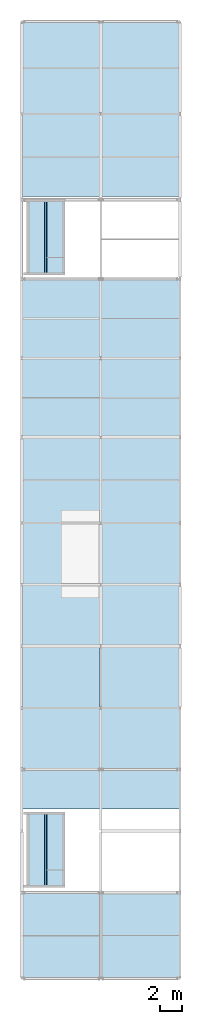
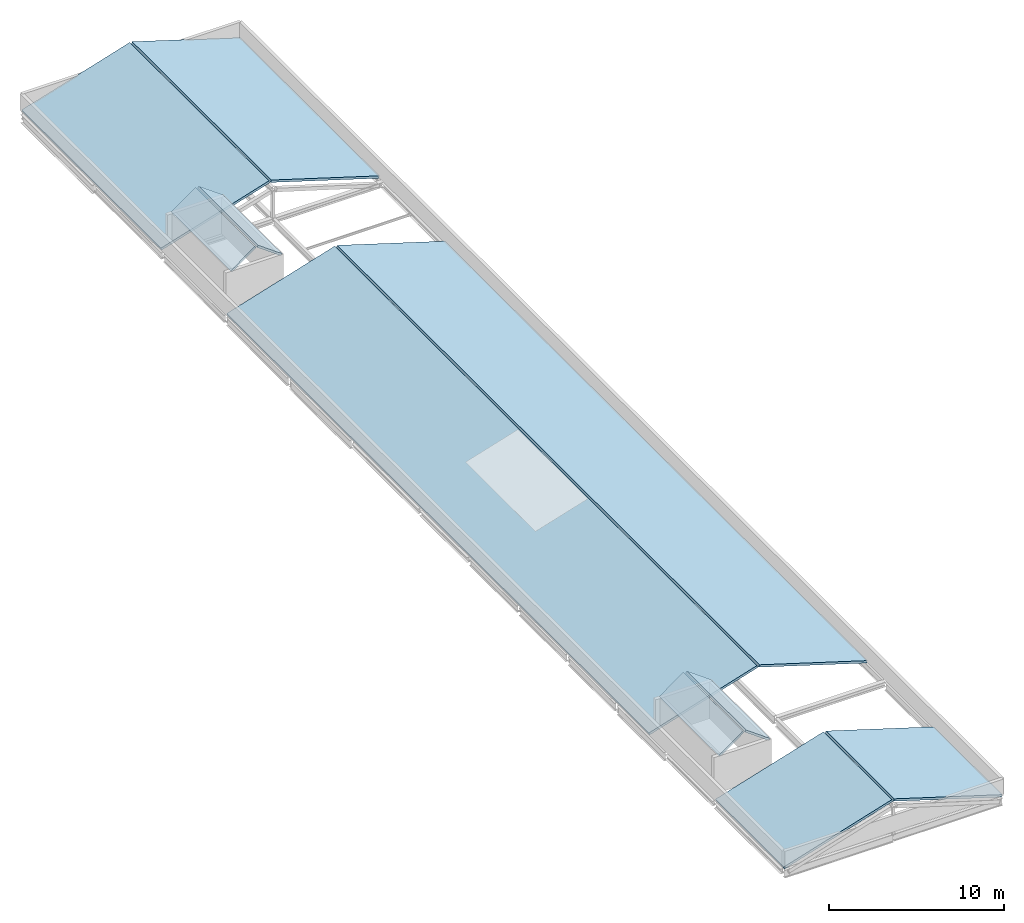
# One storey, part 5 of 9: 10 slabs.
"""IFC4 building model written with IfcOpenShell, lengths in metres."""

from ifc_helpers import new_model, si_unit, direction, frame, origin, place, context, subcontext, project, spatial, polyline, outline, extrude, material, layer, layer_set, type_object, element, save


model = new_model("IFC4")

# Units and contexts
model_context = context("Model", 3, precision=1e-05, world=origin(), true_north=direction((0.0, 1.0)))
body_context = subcontext(model_context, "Body", "Model", "MODEL_VIEW")
ifc_project = project(units=[si_unit("LENGTHUNIT", "METRE"), si_unit("AREAUNIT", "SQUARE_METRE"), si_unit("VOLUMEUNIT", "CUBIC_METRE"), si_unit("PLANEANGLEUNIT", "RADIAN"), si_unit("MASSUNIT", "GRAM", prefix="KILO")], contexts=[model_context])

# Site, building, storey
site_placement = place(None, origin())
site = spatial("IfcSite", under=ifc_project, at=site_placement, CompositionType="ELEMENT")
building_placement = place(site_placement, origin())
building = spatial("IfcBuilding", under=site, at=building_placement, Name="Vinh Khe Railworks Police Headquarters", CompositionType="ELEMENT")
storey_placement = place(building_placement, frame((0.0, 0.0, 36.60009765625)))
storey = spatial("IfcBuildingStorey", under=building, at=storey_placement, Name="RF", CompositionType="ELEMENT", Elevation=36.60009765625)

# Slabs
ifc_material = material(Name="Concrete C35/45 (B35)", Category="concrete")
ifc_layer_1 = layer(ifc_material, 0.159912109375)
ifc_layer_set_1 = layer_set([ifc_layer_1], Name="Concrete C35/45 (B35)")
slab_type_1 = type_object("IfcSlabType", Name="Heritage Gable Roof Deck 160", PredefinedType="ROOF", material=ifc_layer_set_1)
slab_1_placement = place(storey_placement, frame((0.60009765625, 17.39990234375, 0.0), z_axis=(-0.295216011638, 0.0, 0.955430534614), x_axis=(0.955430534614, 0.0, 0.295216011638)))
element("IfcSlab", 1, at=slab_1_placement, inside=storey, type_object=slab_type_1, Name="V5 Heritage Gable Roof 1W", PredefinedType="ROOF", context=body_context, shape_type="SweptSolid", body=[
    extrude(outline(polyline([(0.0, 0.0), (7.452004922317973, 0.0), (7.452004922317973, 7.800048828125), (0.0, 7.800048828125), (0.0, 0.0)])), origin(), (0.0, 0.0, -1.0), 0.159912109375),
])
slab_2_placement = place(storey_placement, frame((7.8798828125, 17.39990234375, 2.199951171875), z_axis=(0.295206771191, 0.0, 0.955433389747), x_axis=(0.955433389747, 0.0, -0.295206771191)))
element("IfcSlab", 2, at=slab_2_placement, inside=storey, type_object=slab_type_1, Name="V5 Heritage Gable Roof 1E", PredefinedType="ROOF", context=body_context, shape_type="SweptSolid", body=[
    extrude(outline(polyline([(0.0, 0.0), (7.452238182074368, 0.0), (7.452238182074368, 7.800048828125), (0.0, 7.800048828125), (0.0, 0.0)])), origin(), (0.0, 0.0, -1.0), 0.159912109375),
])
slab_3_placement = place(storey_placement, frame((0.60009765625, 32.800048828125, 0.0), z_axis=(-0.295216011638, 0.0, 0.955430534614), x_axis=(0.955430534614, 0.0, 0.295216011638)))
element("IfcSlab", 3, at=slab_3_placement, inside=storey, type_object=slab_type_1, Name="V5 Heritage Gable Roof 2W", PredefinedType="ROOF", context=body_context, shape_type="SweptSolid", body=[
    extrude(outline(polyline([(0.0, 0.0), (7.452004922317973, 0.0), (7.452004922317973, 48.199951171875), (0.0, 48.199951171875), (0.0, 0.0)])), origin(), (0.0, 0.0, -1.0), 0.159912109375),
])
slab_4_placement = place(storey_placement, frame((7.8798828125, 32.800048828125, 2.199951171875), z_axis=(0.295206771191, 0.0, 0.955433389747), x_axis=(0.955433389747, 0.0, -0.295206771191)))
element("IfcSlab", 4, at=slab_4_placement, inside=storey, type_object=slab_type_1, Name="V5 Heritage Gable Roof 2E", PredefinedType="ROOF", context=body_context, shape_type="SweptSolid", body=[
    extrude(outline(polyline([(0.0, 0.0), (7.452238182074368, 0.0), (7.452238182074368, 48.199951171875), (0.0, 48.199951171875), (0.0, 0.0)])), origin(), (0.0, 0.0, -1.0), 0.159912109375),
])
slab_5_placement = place(storey_placement, frame((0.60009765625, 88.5, 0.0), z_axis=(-0.295216011638, 0.0, 0.955430534614), x_axis=(0.955430534614, 0.0, 0.295216011638)))
element("IfcSlab", 5, at=slab_5_placement, inside=storey, type_object=slab_type_1, Name="V5 Heritage Gable Roof 3W", PredefinedType="ROOF", context=body_context, shape_type="SweptSolid", body=[
    extrude(outline(polyline([(0.0, 0.0), (7.452004922317973, 0.0), (7.452004922317973, 15.89990234375), (0.0, 15.89990234375), (0.0, 0.0)])), origin(), (0.0, 0.0, -1.0), 0.159912109375),
])
slab_6_placement = place(storey_placement, frame((7.8798828125, 88.5, 2.199951171875), z_axis=(0.295206771191, 0.0, 0.955433389747), x_axis=(0.955433389747, 0.0, -0.295206771191)))
element("IfcSlab", 6, at=slab_6_placement, inside=storey, type_object=slab_type_1, Name="V5 Heritage Gable Roof 3E", PredefinedType="ROOF", context=body_context, shape_type="SweptSolid", body=[
    extrude(outline(polyline([(0.0, 0.0), (7.452238182074368, 0.0), (7.452238182074368, 15.89990234375), (0.0, 15.89990234375), (0.0, 0.0)])), origin(), (0.0, 0.0, -1.0), 0.159912109375),
])
ifc_layer_2 = layer(ifc_material, 0.139892578125)
ifc_layer_set_2 = layer_set([ifc_layer_2], Name="Concrete C35/45 (B35)")
slab_type_2 = type_object("IfcSlabType", Name="Stair Hood Sloped Roof 140", PredefinedType="ROOF", material=ifc_layer_set_2)
slab_7_placement = place(storey_placement, frame((1.10009765625, 25.699951171875, 2.5498046875), z_axis=(-0.586135426543, 0.0, 0.810213096507), x_axis=(0.810213096507, 0.0, 0.586135426543)))
element("IfcSlab", 7, at=slab_7_placement, inside=storey, type_object=slab_type_2, Name="Core C1 Stair Hood Roof (W)", PredefinedType="ROOF", context=body_context, shape_type="SweptSolid", body=[
    extrude(outline(polyline([(0.0, 0.0), (1.9622538278556716, 0.0), (1.9622538278556716, 6.800048828125002), (0.0, 6.800048828125002), (0.0, 0.0)])), origin(), (0.0, 0.0, -1.0), 0.139892578125),
])
slab_8_placement = place(storey_placement, frame((2.909912109375, 25.699951171875, 3.699951171875), z_axis=(0.586076345279, 0.0, 0.810255834601), x_axis=(0.810255834601, 0.0, -0.586076345279)))
element("IfcSlab", 8, at=slab_8_placement, inside=storey, type_object=slab_type_2, Name="Core C1 Stair Hood Roof (E)", PredefinedType="ROOF", context=body_context, shape_type="SweptSolid", body=[
    extrude(outline(polyline([(0.0, 0.0), (1.962451639004751, 0.0), (1.962451639004751, 6.800048828125), (0.0, 6.800048828125), (0.0, 0.0)])), origin(), (0.0, 0.0, -1.0), 0.139892578125),
])
slab_9_placement = place(storey_placement, frame((1.10009765625, 81.39990234375, 2.5498046875), z_axis=(-0.586135426543, 0.0, 0.810213096507), x_axis=(0.810213096507, 0.0, 0.586135426543)))
element("IfcSlab", 9, at=slab_9_placement, inside=storey, type_object=slab_type_2, Name="Core C2 Stair Hood Roof (W)", PredefinedType="ROOF", context=body_context, shape_type="SweptSolid", body=[
    extrude(outline(polyline([(0.0, 0.0), (1.9622538278556716, 0.0), (1.9622538278556716, 6.800048828125002), (0.0, 6.800048828125002), (0.0, 0.0)])), origin(), (0.0, 0.0, -1.0), 0.139892578125),
])
slab_10_placement = place(storey_placement, frame((2.909912109375, 81.39990234375, 3.699951171875), z_axis=(0.586076345279, 0.0, 0.810255834601), x_axis=(0.810255834601, 0.0, -0.586076345279)))
element("IfcSlab", 10, at=slab_10_placement, inside=storey, type_object=slab_type_2, Name="Core C2 Stair Hood Roof (E)", PredefinedType="ROOF", context=body_context, shape_type="SweptSolid", body=[
    extrude(outline(polyline([(0.0, 0.0), (1.962451639004751, 0.0), (1.962451639004751, 6.800048828125), (0.0, 6.800048828125), (0.0, 0.0)])), origin(), (0.0, 0.0, -1.0), 0.139892578125),
])

save(model, "model.ifc")
